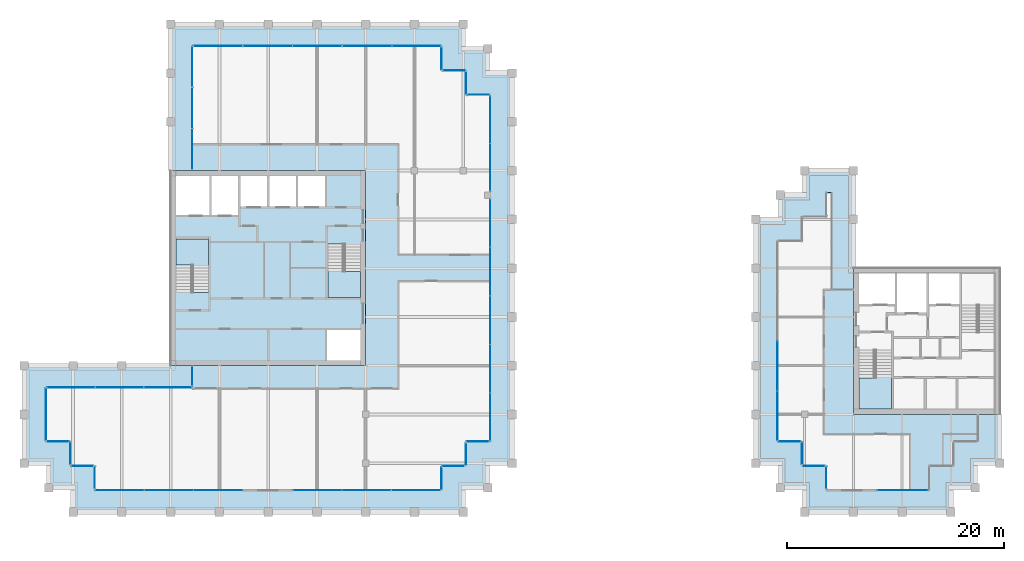
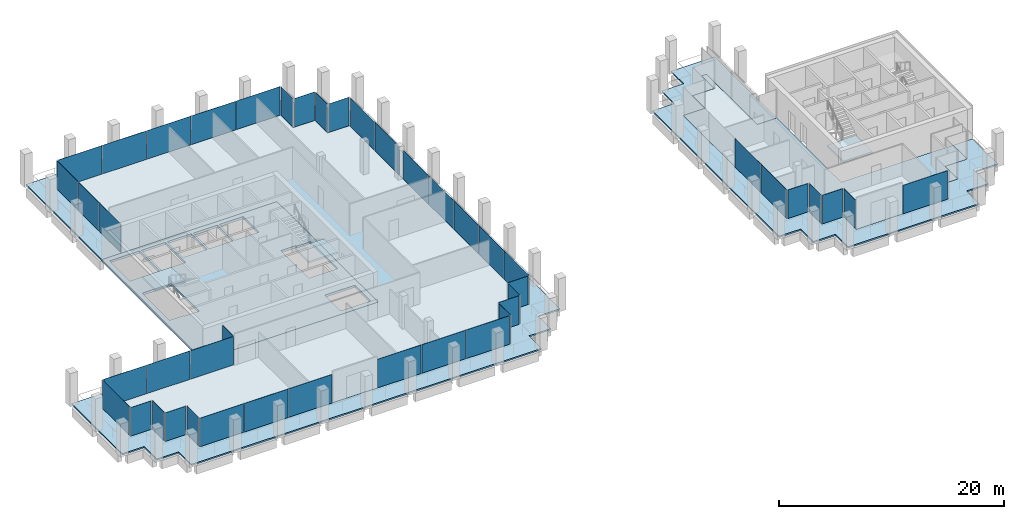
# One storey, part 34 of 40: 45 plates, 8 slabs, 30 elements without a shape of their own.
"""IFC4 building model written with IfcOpenShell, lengths in metres."""

from ifc_helpers import new_model, si_unit, direction, frame, origin, origin_2d, place, context, subcontext, project, spatial, polyline, rectangle, outline, extrude, material, layer, layer_set, type_object, element, aggregate, save


model = new_model("IFC4")

# Units and contexts
model_context = context("Model", 3, precision=1e-05, world=origin(), true_north=direction((0.0, 1.0)))
body_context = subcontext(model_context, "Body", "Model", "MODEL_VIEW")
ifc_project = project(units=[si_unit("LENGTHUNIT", "METRE"), si_unit("AREAUNIT", "SQUARE_METRE"), si_unit("VOLUMEUNIT", "CUBIC_METRE"), si_unit("PLANEANGLEUNIT", "RADIAN"), si_unit("MASSUNIT", "GRAM", prefix="KILO")], contexts=[model_context])

# Site, building, storey
site_placement = place(None, origin())
site = spatial("IfcSite", under=ifc_project, at=site_placement, CompositionType="ELEMENT")
building_placement = place(site_placement, origin())
building = spatial("IfcBuilding", under=site, at=building_placement, Name="Altepetl Exchange Towers", CompositionType="ELEMENT")
storey_placement = place(building_placement, frame((0.0, 0.0, 199.199951171875)))
storey = spatial("IfcBuildingStorey", under=building, at=storey_placement, Name="L50", CompositionType="ELEMENT", Elevation=199.199951171875)

# Slabs
ifc_material_1 = material(Name="Concrete C40/50", Category="concrete")
ifc_layer_1 = layer(ifc_material_1, 0.14990234375)
ifc_layer_set_1 = layer_set([ifc_layer_1], Name="Concrete C40/50")
slab_type_1 = type_object("IfcSlabType", Name="Composite floor slab 150", PredefinedType="FLOOR", material=ifc_layer_set_1)
slab_1_placement = place(storey_placement, frame((0.0, 0.0, -0.14990234375)))
element("IfcSlab", 1, at=slab_1_placement, inside=storey, type_object=slab_type_1, Name="slab:A:L50:strip0", PredefinedType="FLOOR", context=body_context, shape_type="SweptSolid", body=[
    extrude(outline(polyline([(42.5, 70.0), (42.5, 58.5), (58.5, 58.5), (58.5, 40.5), (42.5, 40.5), (42.5, 38.5), (29.0, 38.5), (29.0, 33.5), (31.25, 33.5), (31.25, 31.25), (33.5, 31.25), (33.5, 29.0), (65.5, 29.0), (65.5, 31.25), (67.75, 31.25), (67.75, 33.5), (70.0, 33.5), (70.0, 65.5), (67.75, 65.5), (67.75, 67.75), (65.5, 67.75), (65.5, 70.0), (42.5, 70.0)])), origin(), (0.0, 0.0, 1.0), 0.14990234375),
])
slab_2_placement = place(storey_placement, frame((0.0, 0.0, -0.14990234375)))
element("IfcSlab", 2, at=slab_2_placement, inside=storey, type_object=slab_type_1, Name="slab:B:L50:strip0", PredefinedType="FLOOR", context=body_context, shape_type="SweptSolid", body=[
    extrude(outline(polyline([(98.75, 31.25), (101.0, 31.25), (101.0, 29.0), (110.5, 29.0), (110.5, 31.25), (112.75, 31.25), (112.75, 33.5), (115.0, 33.5), (115.0, 36.0), (103.5, 36.0), (103.5, 47.5), (101.5, 47.5), (101.5, 56.5), (101.0, 56.5), (101.0, 54.25), (98.75, 54.25), (98.75, 52.0), (96.5, 52.0), (96.5, 33.5), (98.75, 33.5), (98.75, 31.25)])), origin(), (0.0, 0.0, 1.0), 0.14990234375),
])
ifc_layer_2 = layer(ifc_material_1, 0.25)
ifc_layer_set_2 = layer_set([ifc_layer_2], Name="Concrete C40/50")
slab_type_2 = type_object("IfcSlabType", Name="Core floor slab 250", PredefinedType="FLOOR", material=ifc_layer_set_2)
slab_3_placement = place(storey_placement, frame((0.0, 0.0, -0.25)))
element("IfcSlab", 3, at=slab_3_placement, inside=storey, type_object=slab_type_2, Name="slab:A:L50:core0", PredefinedType="FLOOR", context=body_context, shape_type="SweptSolid", body=[
    extrude(outline(polyline([(40.5, 40.5), (58.5, 40.5), (58.5, 58.5), (40.5, 58.5), (40.5, 40.5)]), holes=[polyline([(54.93310546875, 43.800048828125), (58.0, 43.800048828125), (58.0, 41.0), (54.93310546875, 41.0), (54.93310546875, 43.800048828125)]), polyline([(55.0, 51.7490234375), (56.550048828125, 51.7490234375), (56.550048828125, 51.64990234375), (58.0, 51.64990234375), (58.0, 46.800048828125), (55.0, 46.800048828125), (55.0, 51.7490234375)]), polyline([(44.0, 47.2509765625), (42.449951171875, 47.2509765625), (42.449951171875, 47.35009765625), (41.0, 47.35009765625), (41.0, 52.199951171875), (44.0, 52.199951171875), (44.0, 47.2509765625)]), polyline([(41.0, 58.0), (44.06689453125, 58.0), (44.06689453125, 54.39990234375), (41.0, 54.39990234375), (41.0, 58.0)]), polyline([(44.26708984375, 58.0), (46.73291015625, 58.0), (46.73291015625, 54.39990234375), (44.26708984375, 54.39990234375), (44.26708984375, 58.0)]), polyline([(46.93310546875, 58.0), (49.39990234375, 58.0), (49.39990234375, 55.199951171875), (46.93310546875, 55.199951171875), (46.93310546875, 58.0)]), polyline([(49.60009765625, 58.0), (52.06689453125, 58.0), (52.06689453125, 55.199951171875), (49.60009765625, 55.199951171875), (49.60009765625, 58.0)]), polyline([(52.26708984375, 58.0), (54.73291015625, 58.0), (54.73291015625, 55.199951171875), (52.26708984375, 55.199951171875), (52.26708984375, 58.0)])]), origin(), (0.0, 0.0, 1.0), 0.25),
])

# Curtain wall, plate
ifc_material_2 = material(Name="Aluminium 6063-T6 glazing", Category="aluminium")
curtain_wall_type = type_object("IfcCurtainWallType", Name="Loggia glazing system", PredefinedType="NOTDEFINED", material=ifc_material_2)
curtain_wall_1_placement = place(storey_placement, origin())
curtain_wall_1 = element("IfcCurtainWall", 4, at=curtain_wall_1_placement, inside=storey, type_object=curtain_wall_type, Name="CW1 run", PredefinedType="NOTDEFINED")
ifc_material_3 = material(Name="Glass 6-16-6 low emissivity", Category="glass")
ifc_layer_3 = layer(ifc_material_3, 0.028076171875)
ifc_layer_set_3 = layer_set([ifc_layer_3], Name="Glass 6-16-6 low emissivity")
plate_type = type_object("IfcPlateType", Name="Glass panel 28 double glazed", PredefinedType="CURTAIN_PANEL", material=ifc_layer_set_3)
plate_1_placement = place(storey_placement, frame((42.5, 39.53759765625, 0.0), z_axis=(0.0, 0.0, 1.0), x_axis=(0.0, -1.0, 0.0)))
plate_1 = element("IfcPlate", 5, at=plate_1_placement, type_object=plate_type, Name="GP1 panel", PredefinedType="CURTAIN_PANEL", context=body_context, shape_type="SweptSolid", body=[
    extrude(rectangle(XDim=1.804931640625, YDim=0.028076171875, at=origin_2d()), origin(), (0.0, 0.0, 1.0), 3.10009765625),
])
aggregate(curtain_wall_1, [plate_1])

# Curtain wall, plates
curtain_wall_2_placement = place(storey_placement, origin())
curtain_wall_2 = element("IfcCurtainWall", 6, at=curtain_wall_2_placement, inside=storey, type_object=curtain_wall_type, Name="CW1 run", PredefinedType="NOTDEFINED")
plate_2_placement = place(storey_placement, frame((40.24755859375, 38.5, 0.0), z_axis=(0.0, 0.0, 1.0), x_axis=(-1.0, 0.0, 0.0)))
plate_2 = element("IfcPlate", 7, at=plate_2_placement, type_object=plate_type, Name="GP1 panel", PredefinedType="CURTAIN_PANEL", context=body_context, shape_type="SweptSolid", body=[
    extrude(rectangle(XDim=4.385009765625, YDim=0.028076171875, at=origin_2d()), origin(), (0.0, 0.0, 1.0), 3.10009765625),
])
plate_3_placement = place(storey_placement, frame((35.78759765625, 38.5, 0.0), z_axis=(0.0, 0.0, 1.0), x_axis=(-1.0, 0.0, 0.0)))
plate_3 = element("IfcPlate", 8, at=plate_3_placement, type_object=plate_type, Name="GP1 panel", PredefinedType="CURTAIN_PANEL", context=body_context, shape_type="SweptSolid", body=[
    extrude(rectangle(XDim=4.4150390625, YDim=0.028076171875, at=origin_2d()), origin(), (0.0, 0.0, 1.0), 3.10009765625),
])
plate_4_placement = place(storey_placement, frame((31.327392578125, 38.5, 0.0), z_axis=(0.0, 0.0, 1.0), x_axis=(-1.0, 0.0, 0.0)))
plate_4 = element("IfcPlate", 9, at=plate_4_placement, type_object=plate_type, Name="GP1 panel", PredefinedType="CURTAIN_PANEL", context=body_context, shape_type="SweptSolid", body=[
    extrude(rectangle(XDim=4.385009765625, YDim=0.028076171875, at=origin_2d()), origin(), (0.0, 0.0, 1.0), 3.10009765625),
])
aggregate(curtain_wall_2, [plate_2, plate_3, plate_4])

# Curtain wall, plate
curtain_wall_3_placement = place(storey_placement, origin())
curtain_wall_3 = element("IfcCurtainWall", 10, at=curtain_wall_3_placement, inside=storey, type_object=curtain_wall_type, Name="CW1 run", PredefinedType="NOTDEFINED")
plate_5_placement = place(storey_placement, frame((29.0, 36.03759765625, 0.0), z_axis=(0.0, 0.0, 1.0), x_axis=(0.0, -1.0, 0.0)))
plate_5 = element("IfcPlate", 11, at=plate_5_placement, type_object=plate_type, Name="GP1 panel", PredefinedType="CURTAIN_PANEL", context=body_context, shape_type="SweptSolid", body=[
    extrude(rectangle(XDim=4.804931640625, YDim=0.028076171875, at=origin_2d()), origin(), (0.0, 0.0, 1.0), 3.10009765625),
])
aggregate(curtain_wall_3, [plate_5])

curtain_wall_4_placement = place(storey_placement, origin())
curtain_wall_4 = element("IfcCurtainWall", 12, at=curtain_wall_4_placement, inside=storey, type_object=curtain_wall_type, Name="CW1 run", PredefinedType="NOTDEFINED")
plate_6_placement = place(storey_placement, frame((30.08740234375, 33.5, 0.0)))
plate_6 = element("IfcPlate", 13, at=plate_6_placement, type_object=plate_type, Name="GP1 panel", PredefinedType="CURTAIN_PANEL", context=body_context, shape_type="SweptSolid", body=[
    extrude(rectangle(XDim=2.054931640625, YDim=0.028076171875, at=origin_2d()), origin(), (0.0, 0.0, 1.0), 3.10009765625),
])
aggregate(curtain_wall_4, [plate_6])

curtain_wall_5_placement = place(storey_placement, origin())
curtain_wall_5 = element("IfcCurtainWall", 14, at=curtain_wall_5_placement, inside=storey, type_object=curtain_wall_type, Name="CW1 run", PredefinedType="NOTDEFINED")
plate_7_placement = place(storey_placement, frame((31.25, 32.41259765625, 0.0), z_axis=(0.0, 0.0, 1.0), x_axis=(0.0, -1.0, 0.0)))
plate_7 = element("IfcPlate", 15, at=plate_7_placement, type_object=plate_type, Name="GP1 panel", PredefinedType="CURTAIN_PANEL", context=body_context, shape_type="SweptSolid", body=[
    extrude(rectangle(XDim=2.054931640625, YDim=0.028076171875, at=origin_2d()), origin(), (0.0, 0.0, 1.0), 3.10009765625),
])
aggregate(curtain_wall_5, [plate_7])

curtain_wall_6_placement = place(storey_placement, origin())
curtain_wall_6 = element("IfcCurtainWall", 16, at=curtain_wall_6_placement, inside=storey, type_object=curtain_wall_type, Name="CW1 run", PredefinedType="NOTDEFINED")
plate_8_placement = place(storey_placement, frame((32.33740234375, 31.25, 0.0)))
plate_8 = element("IfcPlate", 17, at=plate_8_placement, type_object=plate_type, Name="GP1 panel", PredefinedType="CURTAIN_PANEL", context=body_context, shape_type="SweptSolid", body=[
    extrude(rectangle(XDim=2.054931640625, YDim=0.028076171875, at=origin_2d()), origin(), (0.0, 0.0, 1.0), 3.10009765625),
])
aggregate(curtain_wall_6, [plate_8])

curtain_wall_7_placement = place(storey_placement, origin())
curtain_wall_7 = element("IfcCurtainWall", 18, at=curtain_wall_7_placement, inside=storey, type_object=curtain_wall_type, Name="CW1 run", PredefinedType="NOTDEFINED")
plate_9_placement = place(storey_placement, frame((33.5, 30.16259765625, 0.0), z_axis=(0.0, 0.0, 1.0), x_axis=(0.0, -1.0, 0.0)))
plate_9 = element("IfcPlate", 19, at=plate_9_placement, type_object=plate_type, Name="GP1 panel", PredefinedType="CURTAIN_PANEL", context=body_context, shape_type="SweptSolid", body=[
    extrude(rectangle(XDim=2.054931640625, YDim=0.028076171875, at=origin_2d()), origin(), (0.0, 0.0, 1.0), 3.10009765625),
])
aggregate(curtain_wall_7, [plate_9])

# Curtain wall, plates
curtain_wall_8_placement = place(storey_placement, origin())
curtain_wall_8 = element("IfcCurtainWall", 20, at=curtain_wall_8_placement, inside=storey, type_object=curtain_wall_type, Name="CW1 run", PredefinedType="NOTDEFINED")
plate_10_placement = place(storey_placement, frame((35.79541015625, 29.0, 0.0)))
plate_10 = element("IfcPlate", 21, at=plate_10_placement, type_object=plate_type, Name="GP1 panel", PredefinedType="CURTAIN_PANEL", context=body_context, shape_type="SweptSolid", body=[
    extrude(rectangle(XDim=4.470703125, YDim=0.028076171875, at=origin_2d()), origin(), (0.0, 0.0, 1.0), 3.10009765625),
])
plate_11_placement = place(storey_placement, frame((40.341064453125, 29.0, 0.0)))
plate_11 = element("IfcPlate", 22, at=plate_11_placement, type_object=plate_type, Name="GP1 panel", PredefinedType="CURTAIN_PANEL", context=body_context, shape_type="SweptSolid", body=[
    extrude(rectangle(XDim=4.500732421875, YDim=0.028076171875, at=origin_2d()), origin(), (0.0, 0.0, 1.0), 3.10009765625),
])
plate_12_placement = place(storey_placement, frame((44.88671875, 29.0, 0.0)))
plate_12 = element("IfcPlate", 23, at=plate_12_placement, type_object=plate_type, Name="GP1 panel", PredefinedType="CURTAIN_PANEL", context=body_context, shape_type="SweptSolid", body=[
    extrude(rectangle(XDim=4.470703125, YDim=0.028076171875, at=origin_2d()), origin(), (0.0, 0.0, 1.0), 3.10009765625),
])
aggregate(curtain_wall_8, [plate_10, plate_11, plate_12])

curtain_wall_9_placement = place(storey_placement, origin())
curtain_wall_9 = element("IfcCurtainWall", 24, at=curtain_wall_9_placement, inside=storey, type_object=curtain_wall_type, Name="CW1 run", PredefinedType="NOTDEFINED")
plate_13_placement = place(storey_placement, frame((54.038330078125, 29.0, 0.0)))
plate_13 = element("IfcPlate", 25, at=plate_13_placement, type_object=plate_type, Name="GP1 panel", PredefinedType="CURTAIN_PANEL", context=body_context, shape_type="SweptSolid", body=[
    extrude(rectangle(XDim=4.470703125, YDim=0.028076171875, at=origin_2d()), origin(), (0.0, 0.0, 1.0), 3.10009765625),
])
plate_14_placement = place(storey_placement, frame((58.583984375, 29.0, 0.0)))
plate_14 = element("IfcPlate", 26, at=plate_14_placement, type_object=plate_type, Name="GP1 panel", PredefinedType="CURTAIN_PANEL", context=body_context, shape_type="SweptSolid", body=[
    extrude(rectangle(XDim=4.500732421875, YDim=0.028076171875, at=origin_2d()), origin(), (0.0, 0.0, 1.0), 3.10009765625),
])
plate_15_placement = place(storey_placement, frame((63.129638671875, 29.0, 0.0)))
plate_15 = element("IfcPlate", 27, at=plate_15_placement, type_object=plate_type, Name="GP1 panel", PredefinedType="CURTAIN_PANEL", context=body_context, shape_type="SweptSolid", body=[
    extrude(rectangle(XDim=4.470703125, YDim=0.028076171875, at=origin_2d()), origin(), (0.0, 0.0, 1.0), 3.10009765625),
])
aggregate(curtain_wall_9, [plate_13, plate_14, plate_15])

# Curtain wall, plate
curtain_wall_10_placement = place(storey_placement, origin())
curtain_wall_10 = element("IfcCurtainWall", 28, at=curtain_wall_10_placement, inside=storey, type_object=curtain_wall_type, Name="CW1 run", PredefinedType="NOTDEFINED")
plate_16_placement = place(storey_placement, frame((65.5, 30.08740234375, 0.0), z_axis=(0.0, 0.0, 1.0), x_axis=(0.0, 1.0, 0.0)))
plate_16 = element("IfcPlate", 29, at=plate_16_placement, type_object=plate_type, Name="GP1 panel", PredefinedType="CURTAIN_PANEL", context=body_context, shape_type="SweptSolid", body=[
    extrude(rectangle(XDim=2.054931640625, YDim=0.028076171875, at=origin_2d()), origin(), (0.0, 0.0, 1.0), 3.10009765625),
])
aggregate(curtain_wall_10, [plate_16])

curtain_wall_11_placement = place(storey_placement, origin())
curtain_wall_11 = element("IfcCurtainWall", 30, at=curtain_wall_11_placement, inside=storey, type_object=curtain_wall_type, Name="CW1 run", PredefinedType="NOTDEFINED")
plate_17_placement = place(storey_placement, frame((66.58740234375, 31.25, 0.0)))
plate_17 = element("IfcPlate", 31, at=plate_17_placement, type_object=plate_type, Name="GP1 panel", PredefinedType="CURTAIN_PANEL", context=body_context, shape_type="SweptSolid", body=[
    extrude(rectangle(XDim=2.054931640625, YDim=0.028076171875, at=origin_2d()), origin(), (0.0, 0.0, 1.0), 3.10009765625),
])
aggregate(curtain_wall_11, [plate_17])

curtain_wall_12_placement = place(storey_placement, origin())
curtain_wall_12 = element("IfcCurtainWall", 32, at=curtain_wall_12_placement, inside=storey, type_object=curtain_wall_type, Name="CW1 run", PredefinedType="NOTDEFINED")
plate_18_placement = place(storey_placement, frame((67.75, 32.33740234375, 0.0), z_axis=(0.0, 0.0, 1.0), x_axis=(0.0, 1.0, 0.0)))
plate_18 = element("IfcPlate", 33, at=plate_18_placement, type_object=plate_type, Name="GP1 panel", PredefinedType="CURTAIN_PANEL", context=body_context, shape_type="SweptSolid", body=[
    extrude(rectangle(XDim=2.054931640625, YDim=0.028076171875, at=origin_2d()), origin(), (0.0, 0.0, 1.0), 3.10009765625),
])
aggregate(curtain_wall_12, [plate_18])

curtain_wall_13_placement = place(storey_placement, origin())
curtain_wall_13 = element("IfcCurtainWall", 34, at=curtain_wall_13_placement, inside=storey, type_object=curtain_wall_type, Name="CW1 run", PredefinedType="NOTDEFINED")
plate_19_placement = place(storey_placement, frame((68.83740234375, 33.5, 0.0)))
plate_19 = element("IfcPlate", 35, at=plate_19_placement, type_object=plate_type, Name="GP1 panel", PredefinedType="CURTAIN_PANEL", context=body_context, shape_type="SweptSolid", body=[
    extrude(rectangle(XDim=2.054931640625, YDim=0.028076171875, at=origin_2d()), origin(), (0.0, 0.0, 1.0), 3.10009765625),
])
aggregate(curtain_wall_13, [plate_19])

# Curtain wall, plates
curtain_wall_14_placement = place(storey_placement, origin())
curtain_wall_14 = element("IfcCurtainWall", 36, at=curtain_wall_14_placement, inside=storey, type_object=curtain_wall_type, Name="CW1 run", PredefinedType="NOTDEFINED")
plate_20_placement = place(storey_placement, frame((70.0, 35.758056640625, 0.0), z_axis=(0.0, 0.0, 1.0), x_axis=(0.0, 1.0, 0.0)))
plate_20 = element("IfcPlate", 37, at=plate_20_placement, type_object=plate_type, Name="GP1 panel", PredefinedType="CURTAIN_PANEL", context=body_context, shape_type="SweptSolid", body=[
    extrude(rectangle(XDim=4.39599609375, YDim=0.028076171875, at=origin_2d()), origin(), (0.0, 0.0, 1.0), 3.10009765625),
])
plate_21_placement = place(storey_placement, frame((70.0, 40.22900390625, 0.0), z_axis=(0.0, 0.0, 1.0), x_axis=(0.0, 1.0, 0.0)))
plate_21 = element("IfcPlate", 38, at=plate_21_placement, type_object=plate_type, Name="GP1 panel", PredefinedType="CURTAIN_PANEL", context=body_context, shape_type="SweptSolid", body=[
    extrude(rectangle(XDim=4.426025390625, YDim=0.028076171875, at=origin_2d()), origin(), (0.0, 0.0, 1.0), 3.10009765625),
])
plate_22_placement = place(storey_placement, frame((70.0, 44.715087890625, 0.0), z_axis=(0.0, 0.0, 1.0), x_axis=(0.0, 1.0, 0.0)))
plate_22 = element("IfcPlate", 39, at=plate_22_placement, type_object=plate_type, Name="GP1 panel", PredefinedType="CURTAIN_PANEL", context=body_context, shape_type="SweptSolid", body=[
    extrude(rectangle(XDim=4.426025390625, YDim=0.028076171875, at=origin_2d()), origin(), (0.0, 0.0, 1.0), 3.10009765625),
])
plate_23_placement = place(storey_placement, frame((70.0, 49.200927734375, 0.0), z_axis=(0.0, 0.0, 1.0), x_axis=(0.0, 1.0, 0.0)))
plate_23 = element("IfcPlate", 40, at=plate_23_placement, type_object=plate_type, Name="GP1 panel", PredefinedType="CURTAIN_PANEL", context=body_context, shape_type="SweptSolid", body=[
    extrude(rectangle(XDim=4.426025390625, YDim=0.028076171875, at=origin_2d()), origin(), (0.0, 0.0, 1.0), 3.10009765625),
])
plate_24_placement = place(storey_placement, frame((70.0, 53.672119140625, 0.0), z_axis=(0.0, 0.0, 1.0), x_axis=(0.0, 1.0, 0.0)))
plate_24 = element("IfcPlate", 41, at=plate_24_placement, type_object=plate_type, Name="GP1 panel", PredefinedType="CURTAIN_PANEL", context=body_context, shape_type="SweptSolid", body=[
    extrude(rectangle(XDim=4.39599609375, YDim=0.028076171875, at=origin_2d()), origin(), (0.0, 0.0, 1.0), 3.10009765625),
])
aggregate(curtain_wall_14, [plate_20, plate_21, plate_22, plate_23, plate_24])

curtain_wall_15_placement = place(storey_placement, origin())
curtain_wall_15 = element("IfcCurtainWall", 42, at=curtain_wall_15_placement, inside=storey, type_object=curtain_wall_type, Name="CW1 run", PredefinedType="NOTDEFINED")
plate_25_placement = place(storey_placement, frame((70.0, 58.798828125, 0.0), z_axis=(0.0, 0.0, 1.0), x_axis=(0.0, 1.0, 0.0)))
plate_25 = element("IfcPlate", 43, at=plate_25_placement, type_object=plate_type, Name="GP1 panel", PredefinedType="CURTAIN_PANEL", context=body_context, shape_type="SweptSolid", body=[
    extrude(rectangle(XDim=4.33740234375, YDim=0.028076171875, at=origin_2d()), origin(), (0.0, 0.0, 1.0), 3.10009765625),
])
plate_26_placement = place(storey_placement, frame((70.0, 63.1962890625, 0.0), z_axis=(0.0, 0.0, 1.0), x_axis=(0.0, 1.0, 0.0)))
plate_26 = element("IfcPlate", 44, at=plate_26_placement, type_object=plate_type, Name="GP1 panel", PredefinedType="CURTAIN_PANEL", context=body_context, shape_type="SweptSolid", body=[
    extrude(rectangle(XDim=4.33740234375, YDim=0.028076171875, at=origin_2d()), origin(), (0.0, 0.0, 1.0), 3.10009765625),
])
aggregate(curtain_wall_15, [plate_25, plate_26])

# Curtain wall, plate
curtain_wall_16_placement = place(storey_placement, origin())
curtain_wall_16 = element("IfcCurtainWall", 45, at=curtain_wall_16_placement, inside=storey, type_object=curtain_wall_type, Name="CW1 run", PredefinedType="NOTDEFINED")
plate_27_placement = place(storey_placement, frame((68.91259765625, 65.5, 0.0), z_axis=(0.0, 0.0, 1.0), x_axis=(-1.0, 0.0, 0.0)))
plate_27 = element("IfcPlate", 46, at=plate_27_placement, type_object=plate_type, Name="GP1 panel", PredefinedType="CURTAIN_PANEL", context=body_context, shape_type="SweptSolid", body=[
    extrude(rectangle(XDim=2.054931640625, YDim=0.028076171875, at=origin_2d()), origin(), (0.0, 0.0, 1.0), 3.10009765625),
])
aggregate(curtain_wall_16, [plate_27])

curtain_wall_17_placement = place(storey_placement, origin())
curtain_wall_17 = element("IfcCurtainWall", 47, at=curtain_wall_17_placement, inside=storey, type_object=curtain_wall_type, Name="CW1 run", PredefinedType="NOTDEFINED")
plate_28_placement = place(storey_placement, frame((67.75, 66.58740234375, 0.0), z_axis=(0.0, 0.0, 1.0), x_axis=(0.0, 1.0, 0.0)))
plate_28 = element("IfcPlate", 48, at=plate_28_placement, type_object=plate_type, Name="GP1 panel", PredefinedType="CURTAIN_PANEL", context=body_context, shape_type="SweptSolid", body=[
    extrude(rectangle(XDim=2.054931640625, YDim=0.028076171875, at=origin_2d()), origin(), (0.0, 0.0, 1.0), 3.10009765625),
])
aggregate(curtain_wall_17, [plate_28])

curtain_wall_18_placement = place(storey_placement, origin())
curtain_wall_18 = element("IfcCurtainWall", 49, at=curtain_wall_18_placement, inside=storey, type_object=curtain_wall_type, Name="CW1 run", PredefinedType="NOTDEFINED")
plate_29_placement = place(storey_placement, frame((66.66259765625, 67.75, 0.0), z_axis=(0.0, 0.0, 1.0), x_axis=(-1.0, 0.0, 0.0)))
plate_29 = element("IfcPlate", 50, at=plate_29_placement, type_object=plate_type, Name="GP1 panel", PredefinedType="CURTAIN_PANEL", context=body_context, shape_type="SweptSolid", body=[
    extrude(rectangle(XDim=2.054931640625, YDim=0.028076171875, at=origin_2d()), origin(), (0.0, 0.0, 1.0), 3.10009765625),
])
aggregate(curtain_wall_18, [plate_29])

curtain_wall_19_placement = place(storey_placement, origin())
curtain_wall_19 = element("IfcCurtainWall", 51, at=curtain_wall_19_placement, inside=storey, type_object=curtain_wall_type, Name="CW1 run", PredefinedType="NOTDEFINED")
plate_30_placement = place(storey_placement, frame((65.5, 68.83740234375, 0.0), z_axis=(0.0, 0.0, 1.0), x_axis=(0.0, 1.0, 0.0)))
plate_30 = element("IfcPlate", 52, at=plate_30_placement, type_object=plate_type, Name="GP1 panel", PredefinedType="CURTAIN_PANEL", context=body_context, shape_type="SweptSolid", body=[
    extrude(rectangle(XDim=2.054931640625, YDim=0.028076171875, at=origin_2d()), origin(), (0.0, 0.0, 1.0), 3.10009765625),
])
aggregate(curtain_wall_19, [plate_30])

# Curtain wall, plates
curtain_wall_20_placement = place(storey_placement, origin())
curtain_wall_20 = element("IfcCurtainWall", 53, at=curtain_wall_20_placement, inside=storey, type_object=curtain_wall_type, Name="CW1 run", PredefinedType="NOTDEFINED")
plate_31_placement = place(storey_placement, frame((63.1923828125, 70.0, 0.0), z_axis=(0.0, 0.0, 1.0), x_axis=(-1.0, 0.0, 0.0)))
plate_31 = element("IfcPlate", 54, at=plate_31_placement, type_object=plate_type, Name="GP1 panel", PredefinedType="CURTAIN_PANEL", context=body_context, shape_type="SweptSolid", body=[
    extrude(rectangle(XDim=4.4951171875, YDim=0.028076171875, at=origin_2d()), origin(), (0.0, 0.0, 1.0), 3.10009765625),
])
plate_32_placement = place(storey_placement, frame((58.62255859375, 70.0, 0.0), z_axis=(0.0, 0.0, 1.0), x_axis=(-1.0, 0.0, 0.0)))
plate_32 = element("IfcPlate", 55, at=plate_32_placement, type_object=plate_type, Name="GP1 panel", PredefinedType="CURTAIN_PANEL", context=body_context, shape_type="SweptSolid", body=[
    extrude(rectangle(XDim=4.52490234375, YDim=0.028076171875, at=origin_2d()), origin(), (0.0, 0.0, 1.0), 3.10009765625),
])
plate_33_placement = place(storey_placement, frame((54.03759765625, 70.0, 0.0), z_axis=(0.0, 0.0, 1.0), x_axis=(-1.0, 0.0, 0.0)))
plate_33 = element("IfcPlate", 56, at=plate_33_placement, type_object=plate_type, Name="GP1 panel", PredefinedType="CURTAIN_PANEL", context=body_context, shape_type="SweptSolid", body=[
    extrude(rectangle(XDim=4.52490234375, YDim=0.028076171875, at=origin_2d()), origin(), (0.0, 0.0, 1.0), 3.10009765625),
])
plate_34_placement = place(storey_placement, frame((49.452392578125, 70.0, 0.0), z_axis=(0.0, 0.0, 1.0), x_axis=(-1.0, 0.0, 0.0)))
plate_34 = element("IfcPlate", 57, at=plate_34_placement, type_object=plate_type, Name="GP1 panel", PredefinedType="CURTAIN_PANEL", context=body_context, shape_type="SweptSolid", body=[
    extrude(rectangle(XDim=4.52490234375, YDim=0.028076171875, at=origin_2d()), origin(), (0.0, 0.0, 1.0), 3.10009765625),
])
plate_35_placement = place(storey_placement, frame((44.882568359375, 70.0, 0.0), z_axis=(0.0, 0.0, 1.0), x_axis=(-1.0, 0.0, 0.0)))
plate_35 = element("IfcPlate", 58, at=plate_35_placement, type_object=plate_type, Name="GP1 panel", PredefinedType="CURTAIN_PANEL", context=body_context, shape_type="SweptSolid", body=[
    extrude(rectangle(XDim=4.4951171875, YDim=0.028076171875, at=origin_2d()), origin(), (0.0, 0.0, 1.0), 3.10009765625),
])
aggregate(curtain_wall_20, [plate_31, plate_32, plate_33, plate_34, plate_35])

curtain_wall_21_placement = place(storey_placement, origin())
curtain_wall_21 = element("IfcCurtainWall", 59, at=curtain_wall_21_placement, inside=storey, type_object=curtain_wall_type, Name="CW1 run", PredefinedType="NOTDEFINED")
plate_36_placement = place(storey_placement, frame((42.5, 68.080810546875, 0.0), z_axis=(0.0, 0.0, 1.0), x_axis=(0.0, -1.0, 0.0)))
plate_36 = element("IfcPlate", 60, at=plate_36_placement, type_object=plate_type, Name="GP1 panel", PredefinedType="CURTAIN_PANEL", context=body_context, shape_type="SweptSolid", body=[
    extrude(rectangle(XDim=3.71826171875, YDim=0.028076171875, at=origin_2d()), origin(), (0.0, 0.0, 1.0), 3.10009765625),
])
plate_37_placement = place(storey_placement, frame((42.5, 64.28759765625, 0.0), z_axis=(0.0, 0.0, 1.0), x_axis=(0.0, -1.0, 0.0)))
plate_37 = element("IfcPlate", 61, at=plate_37_placement, type_object=plate_type, Name="GP1 panel", PredefinedType="CURTAIN_PANEL", context=body_context, shape_type="SweptSolid", body=[
    extrude(rectangle(XDim=3.748291015625, YDim=0.028076171875, at=origin_2d()), origin(), (0.0, 0.0, 1.0), 3.10009765625),
])
plate_38_placement = place(storey_placement, frame((42.5, 60.494140625, 0.0), z_axis=(0.0, 0.0, 1.0), x_axis=(0.0, -1.0, 0.0)))
plate_38 = element("IfcPlate", 62, at=plate_38_placement, type_object=plate_type, Name="GP1 panel", PredefinedType="CURTAIN_PANEL", context=body_context, shape_type="SweptSolid", body=[
    extrude(rectangle(XDim=3.71826171875, YDim=0.028076171875, at=origin_2d()), origin(), (0.0, 0.0, 1.0), 3.10009765625),
])
aggregate(curtain_wall_21, [plate_36, plate_37, plate_38])

# Curtain wall, plate
curtain_wall_22_placement = place(storey_placement, origin())
curtain_wall_22 = element("IfcCurtainWall", 63, at=curtain_wall_22_placement, inside=storey, type_object=curtain_wall_type, Name="CW1 run", PredefinedType="NOTDEFINED")
plate_39_placement = place(storey_placement, frame((101.0, 30.16259765625, 0.0), z_axis=(0.0, 0.0, 1.0), x_axis=(0.0, -1.0, 0.0)))
plate_39 = element("IfcPlate", 64, at=plate_39_placement, type_object=plate_type, Name="GP1 panel", PredefinedType="CURTAIN_PANEL", context=body_context, shape_type="SweptSolid", body=[
    extrude(rectangle(XDim=2.054931640625, YDim=0.028076171875, at=origin_2d()), origin(), (0.0, 0.0, 1.0), 3.10009765625),
])
aggregate(curtain_wall_22, [plate_39])

curtain_wall_23_placement = place(storey_placement, origin())
curtain_wall_23 = element("IfcCurtainWall", 65, at=curtain_wall_23_placement, inside=storey, type_object=curtain_wall_type, Name="CW1 run", PredefinedType="NOTDEFINED")
plate_40_placement = place(storey_placement, frame((108.06884765625, 29.0, 0.0)))
plate_40 = element("IfcPlate", 66, at=plate_40_placement, type_object=plate_type, Name="GP1 panel", PredefinedType="CURTAIN_PANEL", context=body_context, shape_type="SweptSolid", body=[
    extrude(rectangle(XDim=4.592529296875, YDim=0.028076171875, at=origin_2d()), origin(), (0.0, 0.0, 1.0), 3.10009765625),
])
aggregate(curtain_wall_23, [plate_40])

# Curtain wall, plates
curtain_wall_24_placement = place(storey_placement, origin())
curtain_wall_24 = element("IfcCurtainWall", 67, at=curtain_wall_24_placement, inside=storey, type_object=curtain_wall_type, Name="CW1 run", PredefinedType="NOTDEFINED")
plate_41_placement = place(storey_placement, frame((96.5, 40.484375, 0.0), z_axis=(0.0, 0.0, 1.0), x_axis=(0.0, -1.0, 0.0)))
plate_41 = element("IfcPlate", 68, at=plate_41_placement, type_object=plate_type, Name="GP1 panel", PredefinedType="CURTAIN_PANEL", context=body_context, shape_type="SweptSolid", body=[
    extrude(rectangle(XDim=4.546142578125, YDim=0.028076171875, at=origin_2d()), origin(), (0.0, 0.0, 1.0), 3.10009765625),
])
plate_42_placement = place(storey_placement, frame((96.5, 35.89306640625, 0.0), z_axis=(0.0, 0.0, 1.0), x_axis=(0.0, -1.0, 0.0)))
plate_42 = element("IfcPlate", 69, at=plate_42_placement, type_object=plate_type, Name="GP1 panel", PredefinedType="CURTAIN_PANEL", context=body_context, shape_type="SweptSolid", body=[
    extrude(rectangle(XDim=4.516357421875, YDim=0.028076171875, at=origin_2d()), origin(), (0.0, 0.0, 1.0), 3.10009765625),
])
aggregate(curtain_wall_24, [plate_41, plate_42])

# Curtain wall, plate
curtain_wall_25_placement = place(storey_placement, origin())
curtain_wall_25 = element("IfcCurtainWall", 70, at=curtain_wall_25_placement, inside=storey, type_object=curtain_wall_type, Name="CW1 run", PredefinedType="NOTDEFINED")
plate_43_placement = place(storey_placement, frame((97.58740234375, 33.5, 0.0)))
plate_43 = element("IfcPlate", 71, at=plate_43_placement, type_object=plate_type, Name="GP1 panel", PredefinedType="CURTAIN_PANEL", context=body_context, shape_type="SweptSolid", body=[
    extrude(rectangle(XDim=2.054931640625, YDim=0.028076171875, at=origin_2d()), origin(), (0.0, 0.0, 1.0), 3.10009765625),
])
aggregate(curtain_wall_25, [plate_43])

curtain_wall_26_placement = place(storey_placement, origin())
curtain_wall_26 = element("IfcCurtainWall", 72, at=curtain_wall_26_placement, inside=storey, type_object=curtain_wall_type, Name="CW1 run", PredefinedType="NOTDEFINED")
plate_44_placement = place(storey_placement, frame((98.75, 32.41259765625, 0.0), z_axis=(0.0, 0.0, 1.0), x_axis=(0.0, -1.0, 0.0)))
plate_44 = element("IfcPlate", 73, at=plate_44_placement, type_object=plate_type, Name="GP1 panel", PredefinedType="CURTAIN_PANEL", context=body_context, shape_type="SweptSolid", body=[
    extrude(rectangle(XDim=2.054931640625, YDim=0.028076171875, at=origin_2d()), origin(), (0.0, 0.0, 1.0), 3.10009765625),
])
aggregate(curtain_wall_26, [plate_44])

curtain_wall_27_placement = place(storey_placement, origin())
curtain_wall_27 = element("IfcCurtainWall", 74, at=curtain_wall_27_placement, inside=storey, type_object=curtain_wall_type, Name="CW1 run", PredefinedType="NOTDEFINED")
plate_45_placement = place(storey_placement, frame((99.83740234375, 31.25, 0.0)))
plate_45 = element("IfcPlate", 75, at=plate_45_placement, type_object=plate_type, Name="GP1 panel", PredefinedType="CURTAIN_PANEL", context=body_context, shape_type="SweptSolid", body=[
    extrude(rectangle(XDim=2.054931640625, YDim=0.028076171875, at=origin_2d()), origin(), (0.0, 0.0, 1.0), 3.10009765625),
])
aggregate(curtain_wall_27, [plate_45])

# Slabs
ifc_layer_4 = layer(ifc_material_1, 0.14990234375)
ifc_layer_set_4 = layer_set([ifc_layer_4], Name="Concrete C40/50")
slab_type_3 = type_object("IfcSlabType", Name="Loggia slab 150", PredefinedType="FLOOR", material=ifc_layer_set_4)
slab_4_placement = place(storey_placement, frame((0.0, 0.0, -0.14990234375)))
element("IfcSlab", 76, at=slab_4_placement, inside=storey, type_object=slab_type_3, Name="slab:A:L50:loggia0", PredefinedType="FLOOR", context=body_context, shape_type="SweptSolid", body=[
    extrude(outline(polyline([(40.5, 72.0), (40.5, 58.5), (42.5, 58.5), (42.5, 70.0), (65.5, 70.0), (65.5, 67.75), (67.75, 67.75), (67.75, 65.5), (70.0, 65.5), (70.0, 33.5), (67.75, 33.5), (67.75, 31.25), (65.5, 31.25), (65.5, 29.0), (33.5, 29.0), (33.5, 31.25), (31.25, 31.25), (31.25, 33.5), (29.0, 33.5), (29.0, 38.5), (42.5, 38.5), (42.5, 40.5), (40.5, 40.5), (27.0, 40.5), (27.0, 31.5), (29.25, 31.5), (29.25, 29.25), (31.5, 29.25), (31.5, 27.0), (58.5, 27.0), (67.5, 27.0), (67.5, 29.25), (69.75, 29.25), (69.75, 31.5), (72.0, 31.5), (72.0, 58.5), (72.0, 67.5), (69.75, 67.5), (69.75, 69.75), (67.5, 69.75), (67.5, 72.0), (40.5, 72.0)])), origin(), (0.0, 0.0, 1.0), 0.14990234375),
])
slab_5_placement = place(storey_placement, frame((0.0, 0.0, -0.14990234375)))
element("IfcSlab", 77, at=slab_5_placement, inside=storey, type_object=slab_type_3, Name="slab:B:L50:loggia0", PredefinedType="FLOOR", context=body_context, shape_type="SweptSolid", body=[
    extrude(outline(polyline([(99.0, 29.25), (99.0, 27.0), (112.5, 27.0), (112.5, 29.25), (114.75, 29.25), (114.75, 31.5), (117.0, 31.5), (117.0, 36.0), (115.0, 36.0), (115.0, 33.5), (112.75, 33.5), (112.75, 31.25), (110.5, 31.25), (110.5, 29.0), (101.0, 29.0), (101.0, 31.25), (98.75, 31.25), (98.75, 33.5), (96.5, 33.5), (96.5, 52.0), (98.75, 52.0), (98.75, 54.25), (101.0, 54.25), (101.0, 56.5), (101.5, 56.5), (101.5, 47.5), (103.5, 47.5), (103.5, 49.5), (103.5, 58.5), (99.0, 58.5), (99.0, 56.25), (96.75, 56.25), (96.75, 54.0), (94.5, 54.0), (94.5, 36.0), (94.5, 31.5), (96.75, 31.5), (96.75, 29.25), (99.0, 29.25)])), origin(), (0.0, 0.0, 1.0), 0.14990234375),
])

# Stair, slab
stair_type = type_object("IfcStairType", Name="Exit stair 1450 flights dogleg", PredefinedType="HALF_TURN_STAIR", material=ifc_material_1)
stair_1_placement = place(storey_placement, origin())
stair_1 = element("IfcStair", 78, at=stair_1_placement, inside=storey, type_object=stair_type, Name="Exit stair 1", PredefinedType="HALF_TURN_STAIR")
ifc_layer_5 = layer(ifc_material_1, 0.199951171875)
ifc_layer_set_5 = layer_set([ifc_layer_5], Name="Concrete C40/50")
slab_type_4 = type_object("IfcSlabType", Name="Stair landing 200 reinforced concrete", PredefinedType="LANDING", material=ifc_layer_set_5)
slab_6_placement = place(storey_placement, frame((0.0, 0.0, 1.60009765625)))
slab_6 = element("IfcSlab", 79, at=slab_6_placement, type_object=slab_type_4, Name="ST-A1f landing 1", PredefinedType="LANDING", context=body_context, shape_type="SweptSolid", body=[
    extrude(outline(polyline([(44.0, 49.715087890625), (42.550048828125, 49.715087890625), (42.550048828125, 49.81494140625), (42.449951171875, 49.81494140625), (42.449951171875, 49.814208984375), (41.0, 49.814208984375), (41.0, 49.81494140625), (41.0, 52.199951171875), (44.0, 52.199951171875), (44.0, 49.81494140625), (44.0, 49.715087890625)])), origin(), (0.0, 0.0, 1.0), 0.199951171875),
])
aggregate(stair_1, [slab_6])

stair_2_placement = place(storey_placement, origin())
stair_2 = element("IfcStair", 80, at=stair_2_placement, inside=storey, type_object=stair_type, Name="Exit stair 2", PredefinedType="HALF_TURN_STAIR")
slab_7_placement = place(storey_placement, frame((0.0, 0.0, 1.60009765625)))
slab_7 = element("IfcSlab", 81, at=slab_7_placement, type_object=slab_type_4, Name="ST-A2f landing 1", PredefinedType="LANDING", context=body_context, shape_type="SweptSolid", body=[
    extrude(outline(polyline([(58.0, 46.800048828125), (55.0, 46.800048828125), (55.0, 49.18505859375), (55.0, 49.284912109375), (56.449951171875, 49.284912109375), (56.449951171875, 49.18505859375), (56.550048828125, 49.18505859375), (56.550048828125, 49.185791015625), (58.0, 49.185791015625), (58.0, 49.18505859375), (58.0, 46.800048828125)])), origin(), (0.0, 0.0, 1.0), 0.199951171875),
])
aggregate(stair_2, [slab_7])

stair_3_placement = place(storey_placement, origin())
stair_3 = element("IfcStair", 82, at=stair_3_placement, inside=storey, type_object=stair_type, Name="Exit stair 1", PredefinedType="HALF_TURN_STAIR")
slab_8_placement = place(storey_placement, frame((0.0, 0.0, 1.60009765625)))
slab_8 = element("IfcSlab", 83, at=slab_8_placement, type_object=slab_type_4, Name="ST-B1f landing 1", PredefinedType="LANDING", context=body_context, shape_type="SweptSolid", body=[
    extrude(outline(polyline([(107.0, 36.5), (104.0, 36.5), (104.0, 39.385009765625), (104.0, 39.3857421875), (105.449951171875, 39.3857421875), (105.449951171875, 39.385009765625), (105.550048828125, 39.385009765625), (105.550048828125, 39.485107421875), (107.0, 39.485107421875), (107.0, 39.385009765625), (107.0, 36.5)])), origin(), (0.0, 0.0, 1.0), 0.199951171875),
])
aggregate(stair_3, [slab_8])

save(model, "model.ifc")
